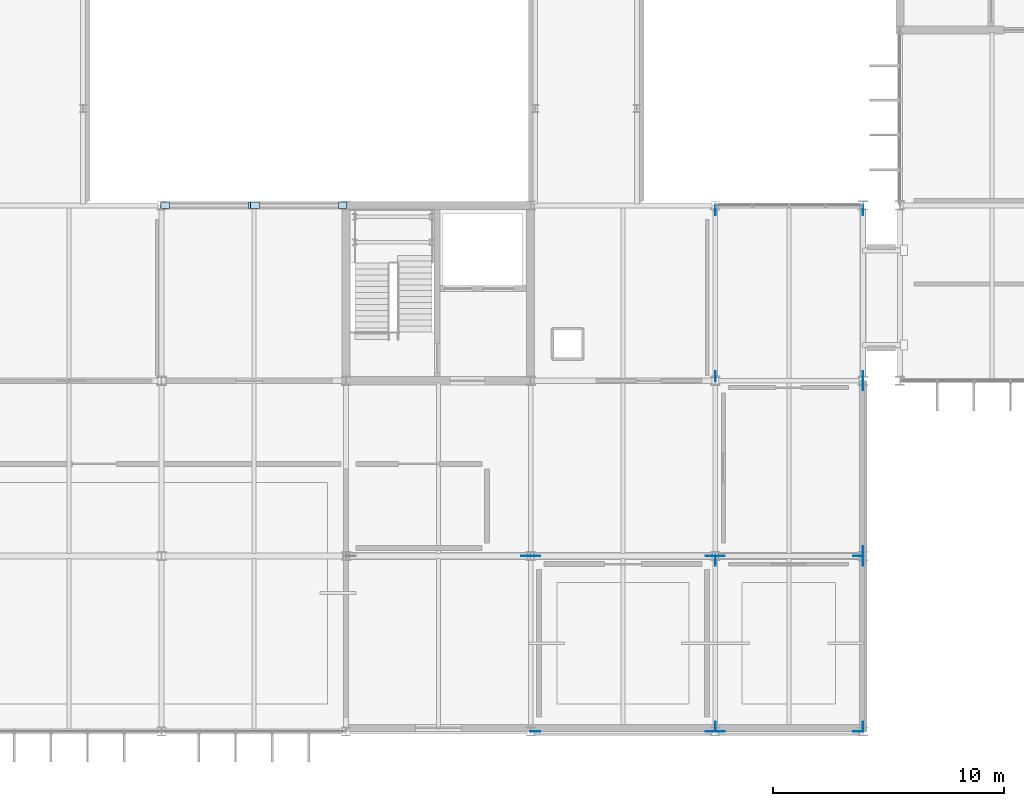
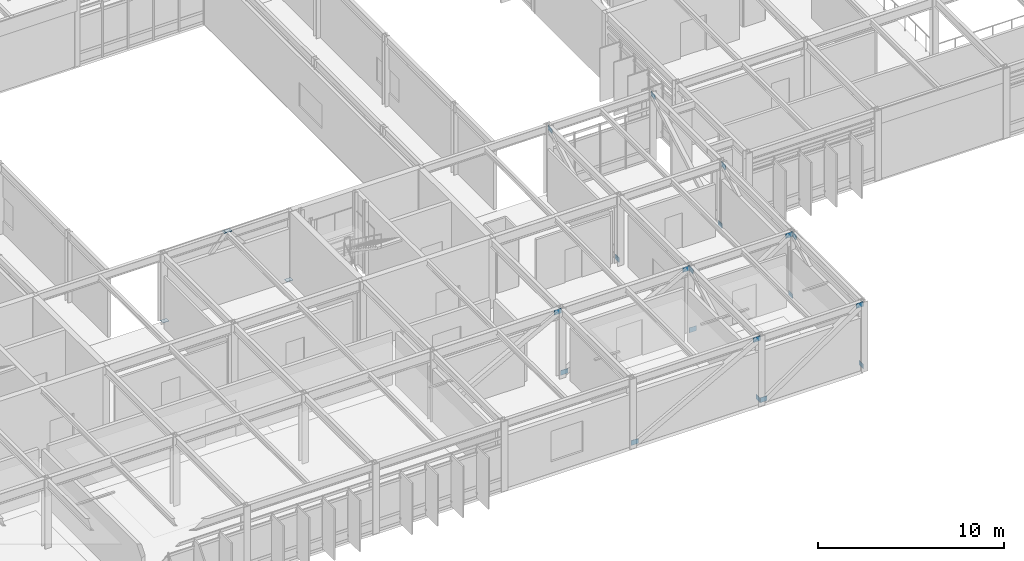
# One storey, part 77 of 104: 23 plates.
"""IFC4 building model written with IfcOpenShell, lengths in metres."""

from ifc_helpers import new_model, si_unit, direction, frame, origin, origin_2d, place, context, subcontext, project, spatial, rectangle, extrude, material, layer, layer_set, type_object, element, save


model = new_model("IFC4")

# Units and contexts
model_context = context("Model", 3, precision=1e-05, world=origin(), true_north=direction((0.0, 1.0)))
body_context = subcontext(model_context, "Body", "Model", "MODEL_VIEW")
ifc_project = project(units=[si_unit("LENGTHUNIT", "METRE"), si_unit("AREAUNIT", "SQUARE_METRE"), si_unit("VOLUMEUNIT", "CUBIC_METRE"), si_unit("PLANEANGLEUNIT", "RADIAN"), si_unit("MASSUNIT", "GRAM", prefix="KILO")], contexts=[model_context])

# Site, building, storey
site_placement = place(None, origin())
site = spatial("IfcSite", under=ifc_project, at=site_placement, CompositionType="ELEMENT")
building_placement = place(site_placement, origin())
building = spatial("IfcBuilding", under=site, at=building_placement, Name="Zulena Civic Courthouse", CompositionType="ELEMENT")
storey_placement = place(building_placement, frame((0.0, 0.0, 15.60009765625)))
storey = spatial("IfcBuildingStorey", under=building, at=storey_placement, Name="L03", CompositionType="ELEMENT", Elevation=15.60009765625)

# Plates
ifc_material = material(Name="Steel ASTM A572 Grade 50", Category="steel")
ifc_layer_1 = layer(ifc_material, 0.02197265625)
ifc_layer_set_1 = layer_set([ifc_layer_1], Name="Steel ASTM A572 Grade 50")
plate_type_1 = type_object("IfcPlateType", Name="GussetPlate_380x280x22", PredefinedType="SHEET", material=ifc_layer_set_1)
for number, where, z_axis, x_axis, name in (
    (1, (36.14990234375, 22.800048828125, -0.0009765625), (0.0, 0.0, 1.0), (1.0, 0.0, 0.0), "plate:br:V2:L03:1:0:0"),
    (2, (39.949951171875, 22.800048828125, 4.548828125), (0.0, 0.0, 1.0), (1.0, 0.0, 0.0), "plate:br:V2:L03:1:0:1"),
    (3, (43.85009765625, 22.800048828125, -0.0009765625), (0.0, 0.0, 1.0), (1.0, 0.0, 0.0), "plate:br:V2:L03:1:1:0"),
    (4, (40.050048828125, 22.800048828125, 4.548828125), (0.0, 0.0, 1.0), (1.0, 0.0, 0.0), "plate:br:V2:L03:1:1:1"),
):
    element("IfcPlate", number, at=place(storey_placement, frame(where, z_axis=z_axis, x_axis=x_axis)), inside=storey, type_object=plate_type_1, Name=name, PredefinedType="SHEET", context=body_context, shape_type="SweptSolid", body=[
        extrude(rectangle(XDim=0.3798828125, YDim=0.280029296875, at=origin_2d()), origin(), (0.0, 0.0, 1.0), 0.02197265625),
    ])
ifc_layer_2 = layer(ifc_material, 0.02490234375)
ifc_layer_set_2 = layer_set([ifc_layer_2], Name="Steel ASTM A572 Grade 50")
plate_type_2 = type_object("IfcPlateType", Name="GussetPlate_440x320x25", PredefinedType="SHEET", material=ifc_layer_set_2)
for number, where, z_axis, x_axis, name in (
    (5, (52.199951171875, 0.0, 0.08984375), (0.0, 0.0, 1.0), (1.0, 0.0, 0.0), "plate:trX:0.0:0:0"),
    (6, (59.800048828125, 0.0, 4.18994140625), (0.0, 0.0, 1.0), (1.0, 0.0, 0.0), "plate:trX:0.0:0:1"),
    (7, (60.199951171875, 0.0, 0.08984375), (0.0, 0.0, 1.0), (1.0, 0.0, 0.0), "plate:trX:0.0:1:0"),
    (8, (66.199951171875, 0.0, 4.18994140625), (0.0, 0.0, 1.0), (1.0, 0.0, 0.0), "plate:trX:0.0:1:1"),
    (9, (51.800048828125, 7.60009765625, 4.18994140625), (0.0, 0.0, 1.0), (1.0, 0.0, 0.0), "plate:trX:7.6:0:1"),
    (10, (52.199951171875, 7.60009765625, 0.08984375), (0.0, 0.0, 1.0), (1.0, 0.0, 0.0), "plate:trX:7.6:1:0"),
    (11, (59.800048828125, 7.60009765625, 4.18994140625), (0.0, 0.0, 1.0), (1.0, 0.0, 0.0), "plate:trX:7.6:1:1"),
    (12, (60.199951171875, 7.60009765625, 0.08984375), (0.0, 0.0, 1.0), (1.0, 0.0, 0.0), "plate:trX:7.6:2:0"),
    (13, (66.199951171875, 7.60009765625, 4.18994140625), (0.0, 0.0, 1.0), (1.0, 0.0, 0.0), "plate:trX:7.6:2:1"),
):
    element("IfcPlate", number, at=place(storey_placement, frame(where, z_axis=z_axis, x_axis=x_axis)), inside=storey, type_object=plate_type_2, Name=name, PredefinedType="SHEET", context=body_context, shape_type="SweptSolid", body=[
        extrude(rectangle(XDim=0.43994140625, YDim=0.02490234375, at=origin_2d()), origin(), (0.0, 0.0, 1.0), 0.320068359375),
    ])
for number, where, z_axis, x_axis, name in (
    (14, (60.0, 15.39990234375, 0.08984375), (0.0, 0.0, 1.0), (1.0, 0.0, 0.0), "plate:trY:60.0:0:0"),
    (15, (60.0, 22.60009765625, 4.18994140625), (0.0, 0.0, 1.0), (1.0, 0.0, 0.0), "plate:trY:60.0:0:1"),
    (16, (60.0, 0.199951171875, 0.08984375), (0.0, 0.0, 1.0), (1.0, 0.0, 0.0), "plate:trY:60.0:2:0"),
    (17, (60.0, 7.39990234375, 4.18994140625), (0.0, 0.0, 1.0), (1.0, 0.0, 0.0), "plate:trY:60.0:2:1"),
    (18, (66.39990234375, 15.39990234375, 0.08984375), (0.0, 0.0, 1.0), (1.0, 0.0, 0.0), "plate:trY:66.4:0:0"),
    (19, (66.39990234375, 22.60009765625, 4.18994140625), (0.0, 0.0, 1.0), (1.0, 0.0, 0.0), "plate:trY:66.4:0:1"),
    (20, (66.39990234375, 7.800048828125, 0.08984375), (0.0, 0.0, 1.0), (1.0, 0.0, 0.0), "plate:trY:66.4:1:0"),
    (21, (66.39990234375, 15.0, 4.18994140625), (0.0, 0.0, 1.0), (1.0, 0.0, 0.0), "plate:trY:66.4:1:1"),
    (22, (66.39990234375, 0.199951171875, 0.08984375), (0.0, 0.0, 1.0), (1.0, 0.0, 0.0), "plate:trY:66.4:2:0"),
    (23, (66.39990234375, 7.39990234375, 4.18994140625), (0.0, 0.0, 1.0), (1.0, 0.0, 0.0), "plate:trY:66.4:2:1"),
):
    element("IfcPlate", number, at=place(storey_placement, frame(where, z_axis=z_axis, x_axis=x_axis)), inside=storey, type_object=plate_type_2, Name=name, PredefinedType="SHEET", context=body_context, shape_type="SweptSolid", body=[
        extrude(rectangle(XDim=0.02490234375, YDim=0.43994140625, at=origin_2d()), origin(), (0.0, 0.0, 1.0), 0.320068359375),
    ])

save(model, "model.ifc")
